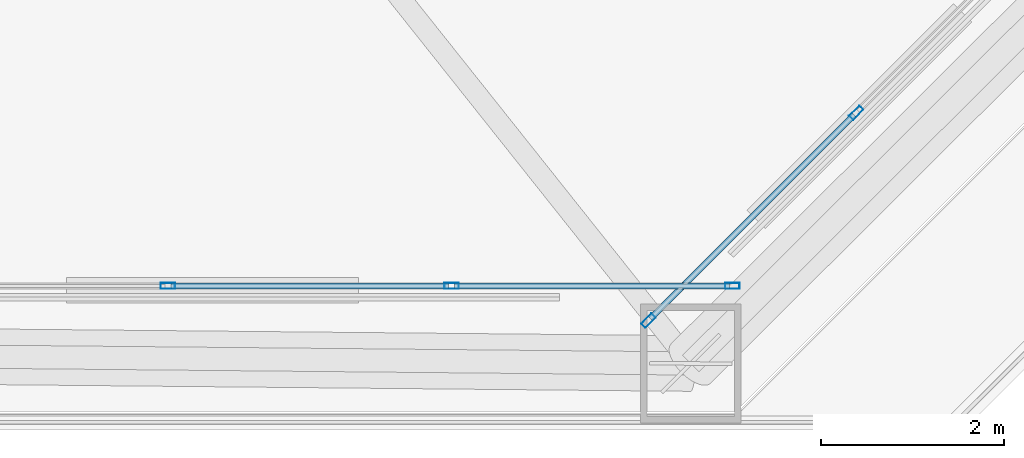
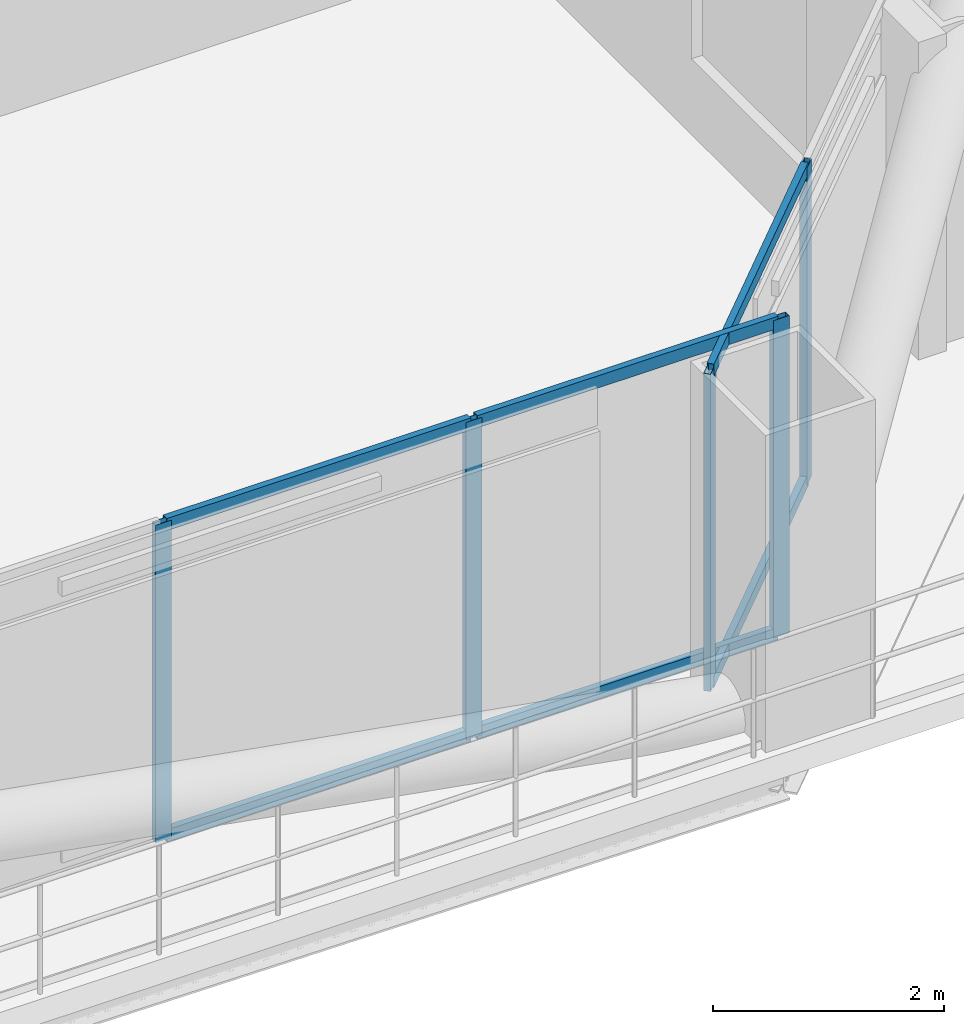
# One storey, part 13 of 34: 11 members, 2 elements without a shape of their own.
"""IFC4 building model written with IfcOpenShell, lengths in metres."""

from ifc_helpers import new_model, si_unit, direction, frame, origin, origin_2d, place, context, subcontext, project, spatial, hollow_rectangle, extrude, material, layer, layer_set, material_profile, profile_set, type_object, element, aggregate, save


model = new_model("IFC4")

# Units and contexts
model_context = context("Model", 3, precision=1e-05, world=origin(), true_north=direction((0.0, 1.0)))
body_context = subcontext(model_context, "Body", "Model", "MODEL_VIEW")
ifc_project = project(units=[si_unit("LENGTHUNIT", "METRE"), si_unit("AREAUNIT", "SQUARE_METRE"), si_unit("VOLUMEUNIT", "CUBIC_METRE"), si_unit("PLANEANGLEUNIT", "RADIAN"), si_unit("MASSUNIT", "GRAM", prefix="KILO")], contexts=[model_context])

# Site, building, storey
site_placement = place(None, origin())
site = spatial("IfcSite", under=ifc_project, at=site_placement, CompositionType="ELEMENT")
building_placement = place(site_placement, origin())
building = spatial("IfcBuilding", under=site, at=building_placement, Name="Caelvoria Tower", CompositionType="ELEMENT")
storey_placement = place(building_placement, frame((0.0, 0.0, 28.0)))
storey = spatial("IfcBuildingStorey", under=building, at=storey_placement, Name="L06", CompositionType="ELEMENT", Elevation=28.0)

# Curtain wall, members
ifc_material_1 = material(Name="Anodised Bronze Aluminium and Low-E Glass", Category="aluminium")
ifc_layer = layer(ifc_material_1, 0.18505859375, Name="Anodised Bronze Aluminium and Low-E Glass")
ifc_layer_set = layer_set([ifc_layer], Name="CW System 2 Lower Tower Bronze Unitised Facade - Anodised Bronze Aluminium and Low-E Glass")
curtain_wall_type = type_object("IfcCurtainWallType", Name="CW System 2 Lower Tower Bronze Unitised Facade", PredefinedType="NOTDEFINED", material=ifc_layer_set)
curtain_wall_1_placement = place(storey_placement, origin())
curtain_wall_1 = element("IfcCurtainWall", 1, at=curtain_wall_1_placement, inside=storey, type_object=curtain_wall_type, Name="CW-02 Curtain Wall L06-E0", PredefinedType="NOTDEFINED")
ifc_material_2 = material(Name="Anodised Bronze Architectural Aluminium", Category="aluminium")
ifc_material_profile_1 = material_profile(ifc_material_2, hollow_rectangle(XDim=0.06494140625, YDim=0.159912109375, WallThickness=0.00390625, at=origin_2d()), Name="Anodised Bronze Architectural Aluminium")
ifc_profile_set_1 = profile_set([ifc_material_profile_1], Name="CW_MULL_65X160 - Anodised Bronze Architectural Aluminium")
member_type_1 = type_object("IfcMemberType", Name="Curtain Wall Mullion 65x160 Bronze Aluminium", PredefinedType="MULLION", material=ifc_profile_set_1)
member_1_placement = place(storey_placement, frame((59.984619140625, 11.3798828125, 0.0), z_axis=(0.0, 0.0, 1.0), x_axis=(0.0, 1.0, 0.0)))
member_1 = element("IfcMember", 2, at=member_1_placement, type_object=member_type_1, Name="CW-02 mullion 12", PredefinedType="MULLION", context=body_context, shape_type="SweptSolid", body=[
    extrude(hollow_rectangle(XDim=0.06494140625, YDim=0.159912109375, WallThickness=0.00390625, at=origin_2d()), origin(), (0.0, 0.0, 1.0), 3.360107421875),
])
member_2_placement = place(storey_placement, frame((63.09228515625, 11.3798828125, 0.0), z_axis=(0.0, 0.0, 1.0), x_axis=(0.0, 1.0, 0.0)))
member_2 = element("IfcMember", 3, at=member_2_placement, type_object=member_type_1, Name="CW-02 mullion 13", PredefinedType="MULLION", context=body_context, shape_type="SweptSolid", body=[
    extrude(hollow_rectangle(XDim=0.06494140625, YDim=0.159912109375, WallThickness=0.00390625, at=origin_2d()), origin(), (0.0, 0.0, 1.0), 3.360107421875),
])
member_3_placement = place(storey_placement, frame((66.16748046875, 11.3798828125, 0.0), z_axis=(0.0, 0.0, 1.0), x_axis=(0.0, 1.0, 0.0)))
member_3 = element("IfcMember", 4, at=member_3_placement, type_object=member_type_1, Name="CW-02 mullion 14", PredefinedType="MULLION", context=body_context, shape_type="SweptSolid", body=[
    extrude(hollow_rectangle(XDim=0.06494140625, YDim=0.159912109375, WallThickness=0.00390625, at=origin_2d()), origin(), (0.0, 0.0, 1.0), 3.360107421875),
])

curtain_wall_2_placement = place(storey_placement, origin())
curtain_wall_2 = element("IfcCurtainWall", 5, at=curtain_wall_2_placement, inside=storey, type_object=curtain_wall_type, Name="CW-02 Curtain Wall L06-E1", PredefinedType="NOTDEFINED")
member_4_placement = place(storey_placement, frame((65.2470703125, 10.998779296875, 0.0), z_axis=(0.0, 0.0, 1.0), x_axis=(-0.707106781187, 0.707106781187, 0.0)))
member_4 = element("IfcMember", 6, at=member_4_placement, type_object=member_type_1, Name="CW-02 mullion 1", PredefinedType="MULLION", context=body_context, shape_type="SweptSolid", body=[
    extrude(hollow_rectangle(XDim=0.06494140625, YDim=0.159912109375, WallThickness=0.00390625, at=origin_2d()), origin(), (0.0, 0.0, 1.0), 3.360107421875),
])
member_5_placement = place(storey_placement, frame((67.524169921875, 13.27587890625, 0.0), z_axis=(0.0, 0.0, 1.0), x_axis=(-0.707106781187, 0.707106781187, 0.0)))
member_5 = element("IfcMember", 7, at=member_5_placement, type_object=member_type_1, Name="CW-02 mullion 2", PredefinedType="MULLION", context=body_context, shape_type="SweptSolid", body=[
    extrude(hollow_rectangle(XDim=0.06494140625, YDim=0.159912109375, WallThickness=0.00390625, at=origin_2d()), origin(), (0.0, 0.0, 1.0), 3.360107421875),
])

# Member
ifc_material_profile_2 = material_profile(ifc_material_2, hollow_rectangle(XDim=0.06494140625, YDim=0.1298828125, WallThickness=0.00341796875, at=origin_2d()), Name="Anodised Bronze Architectural Aluminium")
ifc_profile_set_2 = profile_set([ifc_material_profile_2], Name="CW_TRAN_65X130 - Anodised Bronze Architectural Aluminium")
member_type_2 = type_object("IfcMemberType", Name="Curtain Wall Transom 65x130 Bronze Aluminium", PredefinedType="USERDEFINED", material=ifc_profile_set_2)
member_6_placement = place(storey_placement, frame((60.01708984375, 11.3798828125, 0.032470703125), z_axis=(1.0, 0.0, 0.0), x_axis=(0.0, 1.0, 0.0)))
member_6 = element("IfcMember", 8, at=member_6_placement, type_object=member_type_2, Name="CW-02 transom 12.1", ObjectType="TRANSOM", PredefinedType="USERDEFINED", context=body_context, shape_type="SweptSolid", body=[
    extrude(hollow_rectangle(XDim=0.06494140625, YDim=0.1298828125, WallThickness=0.00341796875, at=origin_2d()), origin(), (0.0, 0.0, 1.0), 3.042724609375),
])

member_7_placement = place(storey_placement, frame((60.01708984375, 11.3798828125, 3.327392578125), z_axis=(1.0, 0.0, 0.0), x_axis=(0.0, 1.0, 0.0)))
member_7 = element("IfcMember", 9, at=member_7_placement, type_object=member_type_2, Name="CW-02 transom 12.2", ObjectType="TRANSOM", PredefinedType="USERDEFINED", context=body_context, shape_type="SweptSolid", body=[
    extrude(hollow_rectangle(XDim=0.06494140625, YDim=0.1298828125, WallThickness=0.00341796875, at=origin_2d()), origin(), (0.0, 0.0, 1.0), 3.042724609375),
])

member_8_placement = place(storey_placement, frame((63.124755859375, 11.3798828125, 0.032470703125), z_axis=(1.0, 0.0, 0.0), x_axis=(0.0, 1.0, 0.0)))
member_8 = element("IfcMember", 10, at=member_8_placement, type_object=member_type_2, Name="CW-02 transom 13.1", ObjectType="TRANSOM", PredefinedType="USERDEFINED", context=body_context, shape_type="SweptSolid", body=[
    extrude(hollow_rectangle(XDim=0.06494140625, YDim=0.1298828125, WallThickness=0.00341796875, at=origin_2d()), origin(), (0.0, 0.0, 1.0), 3.01025390625),
])

member_9_placement = place(storey_placement, frame((63.124755859375, 11.3798828125, 3.327392578125), z_axis=(1.0, 0.0, 0.0), x_axis=(0.0, 1.0, 0.0)))
member_9 = element("IfcMember", 11, at=member_9_placement, type_object=member_type_2, Name="CW-02 transom 13.2", ObjectType="TRANSOM", PredefinedType="USERDEFINED", context=body_context, shape_type="SweptSolid", body=[
    extrude(hollow_rectangle(XDim=0.06494140625, YDim=0.1298828125, WallThickness=0.00341796875, at=origin_2d()), origin(), (0.0, 0.0, 1.0), 3.01025390625),
])

aggregate(curtain_wall_1, [member_1, member_2, member_3, member_6, member_7, member_8, member_9])

member_10_placement = place(storey_placement, frame((65.270263671875, 11.021728515625, 0.032470703125), z_axis=(0.707068091789, 0.707145468468, 0.0), x_axis=(-0.707145468468, 0.707068091789, 0.0)))
member_10 = element("IfcMember", 12, at=member_10_placement, type_object=member_type_2, Name="CW-02 transom 1.1", ObjectType="TRANSOM", PredefinedType="USERDEFINED", context=body_context, shape_type="SweptSolid", body=[
    extrude(hollow_rectangle(XDim=0.06494140625, YDim=0.1298828125, WallThickness=0.00341796875, at=origin_2d()), origin(), (0.0, 0.0, 1.0), 3.1552734375),
])

member_11_placement = place(storey_placement, frame((65.270263671875, 11.021728515625, 3.327392578125), z_axis=(0.707068091789, 0.707145468468, 0.0), x_axis=(-0.707145468468, 0.707068091789, 0.0)))
member_11 = element("IfcMember", 13, at=member_11_placement, type_object=member_type_2, Name="CW-02 transom 1.2", ObjectType="TRANSOM", PredefinedType="USERDEFINED", context=body_context, shape_type="SweptSolid", body=[
    extrude(hollow_rectangle(XDim=0.06494140625, YDim=0.1298828125, WallThickness=0.00341796875, at=origin_2d()), origin(), (0.0, 0.0, 1.0), 3.1552734375),
])

aggregate(curtain_wall_2, [member_4, member_5, member_10, member_11])

save(model, "model.ifc")
